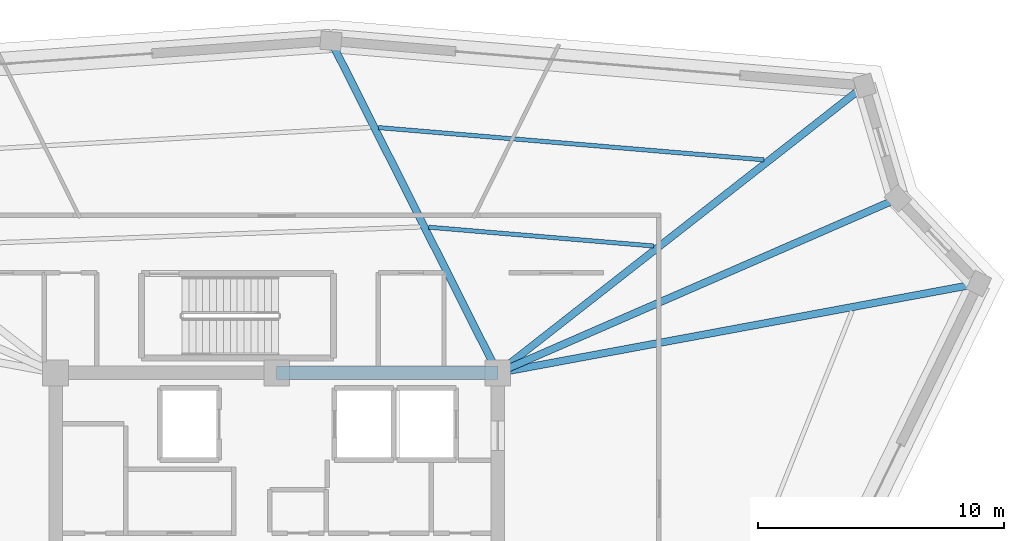
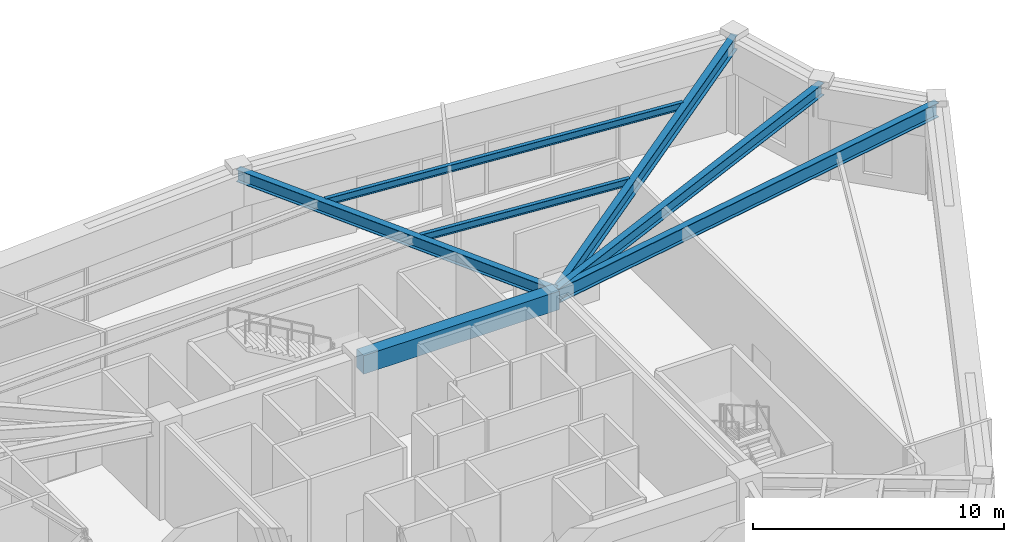
# One storey, part 26 of 40: 7 beams.
"""IFC4 building model written with IfcOpenShell, lengths in metres."""

from ifc_helpers import new_model, si_unit, direction, frame, origin, origin_2d, place, context, subcontext, project, spatial, rectangle, i_section, extrude, source, transform, mapped, material, material_profile, profile_set, type_object, element, save


model = new_model("IFC4")

# Units and contexts
model_context = context("Model", 3, precision=1e-05, world=origin(), true_north=direction((0.0, 1.0)))
body_context = subcontext(model_context, "Body", "Model", "MODEL_VIEW")
ifc_project = project(units=[si_unit("LENGTHUNIT", "METRE"), si_unit("AREAUNIT", "SQUARE_METRE"), si_unit("VOLUMEUNIT", "CUBIC_METRE"), si_unit("PLANEANGLEUNIT", "RADIAN"), si_unit("MASSUNIT", "GRAM", prefix="KILO")], contexts=[model_context])

# Site, building, storey
site_placement = place(None, origin())
site = spatial("IfcSite", under=ifc_project, at=site_placement, CompositionType="ELEMENT")
building_placement = place(site_placement, origin())
building = spatial("IfcBuilding", under=site, at=building_placement, Name="Liaohun Quay Tower", CompositionType="ELEMENT")
storey_placement = place(building_placement, frame((0.0, 0.0, 351.0)))
storey = spatial("IfcBuildingStorey", under=building, at=storey_placement, Name="L91", CompositionType="ELEMENT", Elevation=351.0)

# Beams
ifc_material_1 = material(Name="Concrete C55", Category="concrete")
ifc_material_profile_1 = material_profile(ifc_material_1, rectangle(XDim=0.550048828125, YDim=0.89990234375, at=origin_2d()), Name="RC550x900")
ifc_profile_set_1 = profile_set([ifc_material_profile_1], Name="Concrete C55")
beam_type_1 = type_object("IfcBeamType", Name="BM-CPL-2", PredefinedType="LINTEL", material=ifc_profile_set_1)
shared_shape_1 = source(origin(), body_context, "Body", "SweptSolid", [
    extrude(rectangle(XDim=0.550048828125, YDim=0.89990234375, at=origin_2d()), origin(), (0.0, 0.0, 1.0), 9.0),
])
beam_1_placement = place(storey_placement, frame((69.0, 61.5, 4.070068359375), z_axis=(-1.0, 0.0, 0.0), x_axis=(0.0, -1.0, 0.0)))
element("IfcBeam", 1, at=beam_1_placement, inside=storey, type_object=beam_type_1, Name="L91 Core Coupling/Ring Beam CC4-CC5", PredefinedType="LINTEL", context=body_context, shape_type="MappedRepresentation", body=[
    mapped(shared_shape_1, transform((0.0, 0.0, 0.0), x_axis=(1.0, 0.0, 0.0), y_axis=(0.0, 1.0, 0.0), z_axis=(0.0, 0.0, 1.0), scale=1.0)),
])
ifc_material_2 = material(Name="Steel Q355D", Category="steel")
ifc_material_profile_2 = material_profile(ifc_material_2, i_section(OverallWidth=0.300048828125, OverallDepth=0.587890625, WebThickness=0.011962890625, FlangeThickness=0.02001953125, at=origin_2d()), Name="HM588x300x12x20")
ifc_profile_set_2 = profile_set([ifc_material_profile_2], Name="Steel Q355D")
beam_type_2 = type_object("IfcBeamType", Name="BM-RAD-U2", PredefinedType="BEAM", material=ifc_profile_set_2)
shared_shape_2 = source(origin(), body_context, "Body", "SweptSolid", [
    extrude(i_section(OverallWidth=0.300048828125, OverallDepth=0.587890625, WebThickness=0.011962890625, FlangeThickness=0.02001953125, at=origin_2d()), origin(), (0.0, 0.0, 1.0), 17.768310546875),
])
beam_2_placement = place(storey_placement, frame((69.0, 61.5, 4.22607421875), z_axis=(0.916692609329, 0.39959311806, 0.0), x_axis=(-0.39959311806, 0.916692609329, 0.0)))
element("IfcBeam", 2, at=beam_2_placement, inside=storey, type_object=beam_type_2, Name="L91 Radial Primary Girder CC4-PC08", PredefinedType="BEAM", context=body_context, shape_type="MappedRepresentation", body=[
    mapped(shared_shape_2, transform((0.0, 0.0, 0.0), x_axis=(1.0, 0.0, 0.0), y_axis=(0.0, 1.0, 0.0), z_axis=(0.0, 0.0, 1.0), scale=1.0)),
])
shared_shape_3 = source(origin(), body_context, "Body", "SweptSolid", [
    extrude(i_section(OverallWidth=0.300048828125, OverallDepth=0.587890625, WebThickness=0.011962890625, FlangeThickness=0.02001953125, at=origin_2d()), origin(), (0.0, 0.0, 1.0), 15.124267578125),
])
beam_3_placement = place(storey_placement, frame((69.0, 61.5, 4.22607421875), z_axis=(-0.449143171983, 0.893459798234, 0.0), x_axis=(-0.893459798234, -0.449143171983, 0.0)))
element("IfcBeam", 3, at=beam_3_placement, inside=storey, type_object=beam_type_2, Name="L91 Radial Primary Girder CC4-PC06", PredefinedType="BEAM", context=body_context, shape_type="MappedRepresentation", body=[
    mapped(shared_shape_3, transform((0.0, 0.0, 0.0), x_axis=(1.0, 0.0, 0.0), y_axis=(0.0, 1.0, 0.0), z_axis=(0.0, 0.0, 1.0), scale=1.0)),
])
ifc_material_profile_3 = material_profile(ifc_material_2, i_section(OverallWidth=0.300048828125, OverallDepth=0.699951171875, WebThickness=0.012939453125, FlangeThickness=0.02392578125, at=origin_2d()), Name="HN700x300x13x24")
ifc_profile_set_3 = profile_set([ifc_material_profile_3], Name="Steel Q355D")
beam_type_3 = type_object("IfcBeamType", Name="BM-RAD-U1", PredefinedType="BEAM", material=ifc_profile_set_3)
shared_shape_4 = source(origin(), body_context, "Body", "SweptSolid", [
    extrude(i_section(OverallWidth=0.300048828125, OverallDepth=0.699951171875, WebThickness=0.012939453125, FlangeThickness=0.02392578125, at=origin_2d()), origin(), (0.0, 0.0, 1.0), 18.9677734375),
])
beam_4_placement = place(storey_placement, frame((69.0, 61.5, 4.169921875), z_axis=(0.787337388481, 0.616522373236, 0.0), x_axis=(-0.616522373236, 0.787337388481, 0.0)))
element("IfcBeam", 4, at=beam_4_placement, inside=storey, type_object=beam_type_3, Name="L91 Radial Primary Girder CC4-PC07", PredefinedType="BEAM", context=body_context, shape_type="MappedRepresentation", body=[
    mapped(shared_shape_4, transform((0.0, 0.0, 0.0), x_axis=(1.0, 0.0, 0.0), y_axis=(0.0, 1.0, 0.0), z_axis=(0.0, 0.0, 1.0), scale=1.0)),
])
shared_shape_5 = source(origin(), body_context, "Body", "SweptSolid", [
    extrude(i_section(OverallWidth=0.300048828125, OverallDepth=0.699951171875, WebThickness=0.012939453125, FlangeThickness=0.02392578125, at=origin_2d()), origin(), (0.0, 0.0, 1.0), 19.91796875),
])
beam_5_placement = place(storey_placement, frame((69.0, 61.5, 4.169921875), z_axis=(0.983187667258, 0.182597948925, 0.0), x_axis=(-0.182597948925, 0.983187667258, 0.0)))
element("IfcBeam", 5, at=beam_5_placement, inside=storey, type_object=beam_type_3, Name="L91 Radial Primary Girder CC4-PC09", PredefinedType="BEAM", context=body_context, shape_type="MappedRepresentation", body=[
    mapped(shared_shape_5, transform((0.0, 0.0, 0.0), x_axis=(1.0, 0.0, 0.0), y_axis=(0.0, 1.0, 0.0), z_axis=(0.0, 0.0, 1.0), scale=1.0)),
])
ifc_material_profile_4 = material_profile(ifc_material_2, i_section(OverallWidth=0.175048828125, OverallDepth=0.35009765625, WebThickness=0.007080078125, FlangeThickness=0.010986328125, at=origin_2d()), Name="HN350x175x7x11")
ifc_profile_set_4 = profile_set([ifc_material_profile_4], Name="Steel Q355D")
beam_type_4 = type_object("IfcBeamType", Name="BM-SEC-J3", PredefinedType="JOIST", material=ifc_profile_set_4)
shared_shape_6 = source(origin(), body_context, "Body", "SweptSolid", [
    extrude(i_section(OverallWidth=0.175048828125, OverallDepth=0.35009765625, WebThickness=0.007080078125, FlangeThickness=0.010986328125, at=origin_2d()), origin(), (0.0, 0.0, 1.0), 9.197021484375),
])
beam_6_placement = place(storey_placement, frame((66.18603515625, 67.430908203125, 4.344970703125), z_axis=(0.996517875298, -0.083379399209, 0.0), x_axis=(0.083379399209, 0.996517875298, 0.0)))
element("IfcBeam", 6, at=beam_6_placement, inside=storey, type_object=beam_type_4, Name="L91 Wing Secondary Floor Joist SJ-08", PredefinedType="JOIST", context=body_context, shape_type="MappedRepresentation", body=[
    mapped(shared_shape_6, transform((0.0, 0.0, 0.0), x_axis=(1.0, 0.0, 0.0), y_axis=(0.0, 1.0, 0.0), z_axis=(0.0, 0.0, 1.0), scale=1.0)),
])
shared_shape_7 = source(origin(), body_context, "Body", "SweptSolid", [
    extrude(i_section(OverallWidth=0.175048828125, OverallDepth=0.35009765625, WebThickness=0.007080078125, FlangeThickness=0.010986328125, at=origin_2d()), origin(), (0.0, 0.0, 1.0), 15.738037109375),
])
beam_7_placement = place(storey_placement, frame((64.14794921875, 71.485107421875, 4.344970703125), z_axis=(0.996513803248, -0.083428052459, 0.0), x_axis=(0.083428052459, 0.996513803248, 0.0)))
element("IfcBeam", 7, at=beam_7_placement, inside=storey, type_object=beam_type_4, Name="L91 Wing Secondary Floor Joist SJ-09", PredefinedType="JOIST", context=body_context, shape_type="MappedRepresentation", body=[
    mapped(shared_shape_7, transform((0.0, 0.0, 0.0), x_axis=(1.0, 0.0, 0.0), y_axis=(0.0, 1.0, 0.0), z_axis=(0.0, 0.0, 1.0), scale=1.0)),
])

save(model, "model.ifc")
